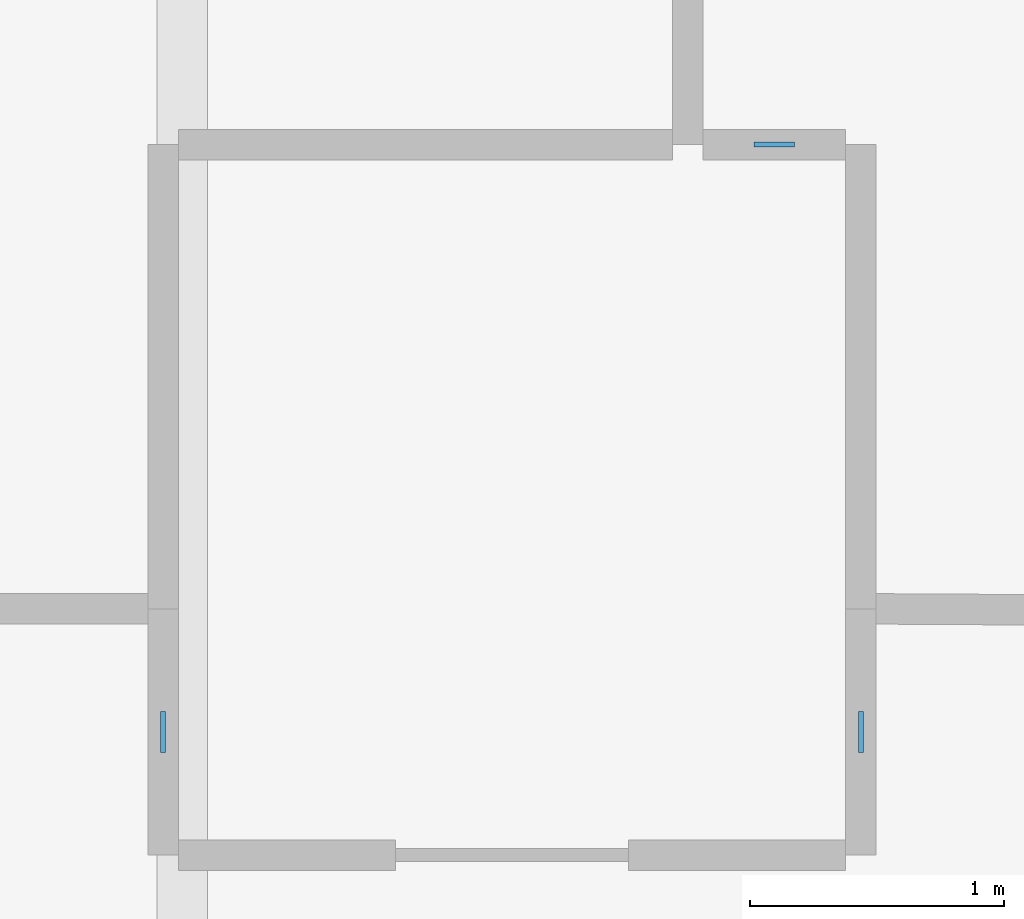
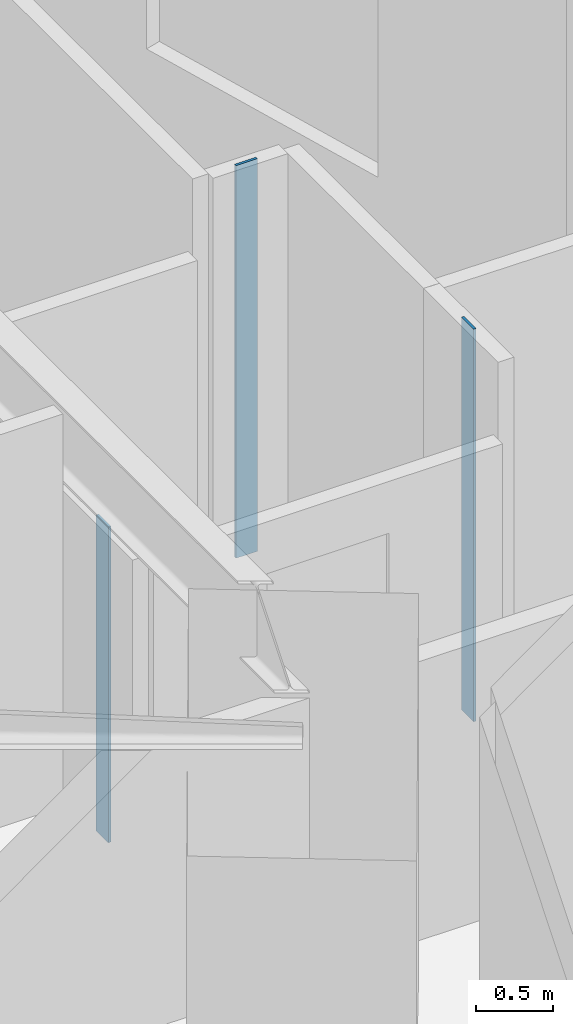
# One storey, part 6 of 15: 3 plates.
"""IFC4 building model written with IfcOpenShell, lengths in metres."""

from ifc_helpers import new_model, si_unit, direction, frame, origin, origin_2d, place, context, subcontext, project, spatial, rectangle, extrude, material, layer, layer_set, type_object, element, save


model = new_model("IFC4")

# Units and contexts
model_context = context("Model", 3, precision=1e-05, world=origin(), true_north=direction((0.0, 1.0)))
body_context = subcontext(model_context, "Body", "Model", "MODEL_VIEW")
ifc_project = project(units=[si_unit("LENGTHUNIT", "METRE"), si_unit("AREAUNIT", "SQUARE_METRE"), si_unit("VOLUMEUNIT", "CUBIC_METRE"), si_unit("PLANEANGLEUNIT", "RADIAN"), si_unit("MASSUNIT", "GRAM", prefix="KILO")], contexts=[model_context])

# Site, building, storey
site_placement = place(None, origin())
site = spatial("IfcSite", under=ifc_project, at=site_placement, CompositionType="ELEMENT")
building_placement = place(site_placement, origin())
building = spatial("IfcBuilding", under=site, at=building_placement, Name="Miruveldt Soraemaru", CompositionType="ELEMENT")
storey_placement = place(building_placement, frame((0.0, 0.0, 36.0)))
storey = spatial("IfcBuildingStorey", under=building, at=storey_placement, Name="L09", CompositionType="ELEMENT", Elevation=36.0)

# Plates
ifc_material = material(Name="Anodised aluminium EN AW-6063 T6", Category="aluminium")
ifc_layer = layer(ifc_material, 0.02001953125, Name="Anodised aluminium EN AW-6063 T6", Category="aluminium")
ifc_layer_set = layer_set([ifc_layer], Name="Anodised aluminium EN AW-6063 T6")
plate_type = type_object("IfcPlateType", Name="PLT-PART-TRIM", PredefinedType="SHEET", material=ifc_layer_set)
plate_1_placement = place(storey_placement, frame((64.030029296875, 35.364990234375, 0.0), z_axis=(0.0, 0.0, 1.0), x_axis=(0.0, 1.0, 0.0)))
element("IfcPlate", 1, at=plate_1_placement, inside=storey, type_object=plate_type, Name="L09 Partition Step Corner Trim Plate 073", PredefinedType="SHEET", context=body_context, shape_type="SweptSolid", body=[
    extrude(rectangle(XDim=0.159912109375, YDim=0.02001953125, at=origin_2d()), origin(), (0.0, 0.0, 1.0), 3.125),
])
plate_2_placement = place(storey_placement, frame((61.280029296875, 35.364990234375, 0.0), z_axis=(0.0, 0.0, 1.0), x_axis=(0.0, -1.0, 0.0)))
element("IfcPlate", 2, at=plate_2_placement, inside=storey, type_object=plate_type, Name="L09 Partition Step Corner Trim Plate 074", PredefinedType="SHEET", context=body_context, shape_type="SweptSolid", body=[
    extrude(rectangle(XDim=0.159912109375, YDim=0.02001953125, at=origin_2d()), origin(), (0.0, 0.0, 1.0), 2.512939453125),
])
plate_3_placement = place(storey_placement, frame((63.68896484375, 37.679931640625, 0.0), z_axis=(0.0, 0.0, 1.0), x_axis=(-1.0, 0.0, 0.0)))
element("IfcPlate", 3, at=plate_3_placement, inside=storey, type_object=plate_type, Name="L09 Partition Step Corner Trim Plate 083", PredefinedType="SHEET", context=body_context, shape_type="SweptSolid", body=[
    extrude(rectangle(XDim=0.159912109375, YDim=0.02001953125, at=origin_2d()), origin(), (0.0, 0.0, 1.0), 3.125),
])

save(model, "model.ifc")
